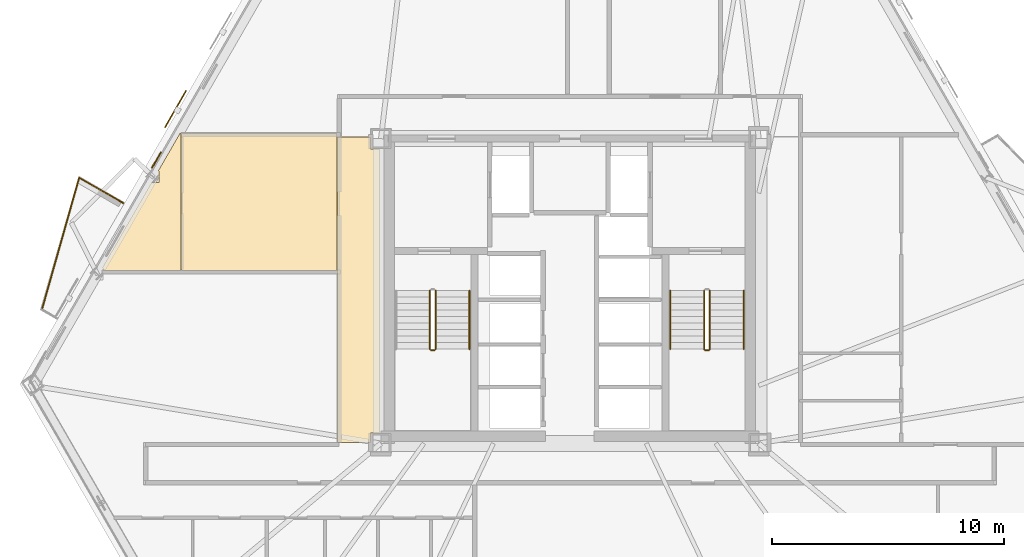
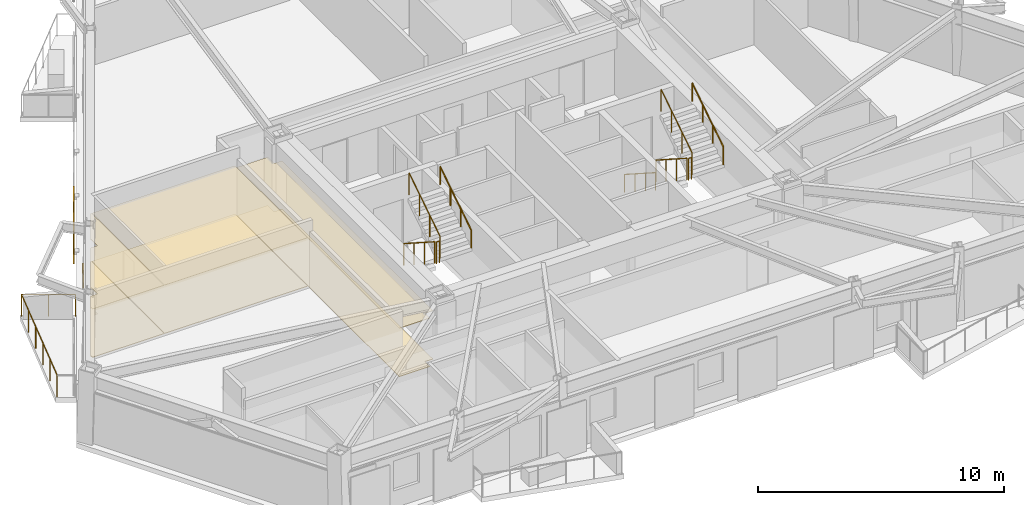
# One storey, part 8 of 10: 11 railings, 7 coverings, 1 shading device.
"""IFC4 building model written with IfcOpenShell, lengths in metres."""

import ifcopenshell
import ifcopenshell.guid

model = None  # the IFC model being written
_history = None  # IfcOwnerHistory: only IFC2X3 demands one
_inside = {}  # id of a spatial element -> (the spatial element, [elements in it])
_under = {}  # id of a project, library or spatial element -> (it, [spatial elements below it])
_declared = {}  # id of a project -> (the project, [libraries it declares])
_typed = {}  # id of a type object -> (the type object, [elements of that type])
_made_of = {}  # id of a material, layer set ... -> (it, [elements and type objects made of it])


def new_model(schema):
    """Start an empty IFC model of exactly this schema.

    Asked for "IFC4X3", IfcOpenShell would pick the latest addendum, in which some entities
    have other attributes; the version numbers below select the first issue.
    IFC2X3 requires an IfcOwnerHistory on every rooted entity: one is made here for all.
    """
    global model, _history
    if schema == "IFC4X3":
        model = ifcopenshell.file(schema_version=(4, 3, 0, 0))
    else:
        model = ifcopenshell.file(schema=schema)
    _inside.clear()
    _under.clear()
    _declared.clear()
    _typed.clear()
    _made_of.clear()
    _history = None
    if model.schema == "IFC2X3":
        org = make("IfcOrganization", Name="unknown")
        user = make(
            "IfcPersonAndOrganization",
            ThePerson=make("IfcPerson", FamilyName="unknown"),
            TheOrganization=org,
        )
        app = make(
            "IfcApplication",
            ApplicationDeveloper=org,
            Version="unknown",
            ApplicationFullName="unknown",
            ApplicationIdentifier="unknown",
        )
        _history = make(
            "IfcOwnerHistory",
            OwningUser=user,
            OwningApplication=app,
            ChangeAction="ADDED",
            CreationDate=0,
        )
    return model


def make(cls, **values):
    """One entity of the class cls with the attributes given. An attribute that is None is left unset."""
    return model.create_entity(
        cls, **{name: value for name, value in values.items() if value is not None}
    )


def rooted(cls, **values):
    """An entity with a GlobalId (a new one), such as an element, a storey or a relation."""
    return make(cls, GlobalId=ifcopenshell.guid.new(), OwnerHistory=_history, **values)


def si_unit(unit_type, name, prefix=None):
    """IfcSIUnit, for example si_unit("LENGTHUNIT", "METRE", prefix="MILLI")."""
    return make("IfcSIUnit", UnitType=unit_type, Prefix=prefix, Name=name)


def assignment(units):
    """IfcUnitAssignment: the units of a project."""
    return None if units is None else make("IfcUnitAssignment", Units=units)


def point(xyz):
    """IfcCartesianPoint."""
    return None if xyz is None else make("IfcCartesianPoint", Coordinates=xyz)


def direction(xyz):
    """IfcDirection."""
    return None if xyz is None else make("IfcDirection", DirectionRatios=xyz)


def frame(location, z_axis=None, x_axis=None):
    """IfcAxis2Placement3D, a coordinate frame: its origin and axes. An axis left out is left unset."""
    return make(
        "IfcAxis2Placement3D",
        Location=point(location),
        Axis=direction(z_axis),
        RefDirection=direction(x_axis),
    )


def frame_2d(location, x_axis=None):
    """IfcAxis2Placement2D, a coordinate frame in the plane: its origin and x axis."""
    return make(
        "IfcAxis2Placement2D", Location=point(location), RefDirection=direction(x_axis)
    )


def origin():
    """The frame at (0, 0, 0) with its axes left unset."""
    return frame((0.0, 0.0, 0.0))


def origin_2d():
    """The frame at (0, 0) in the plane with its x axis left unset."""
    return frame_2d((0.0, 0.0))


def place(relative_to, where):
    """IfcLocalPlacement: puts the frame where relative to a parent placement (None: the world)."""
    return make(
        "IfcLocalPlacement", PlacementRelTo=relative_to, RelativePlacement=where
    )


def context(
    kind, dimensions, precision=None, world=None, true_north=None, identifier=None
):
    """IfcGeometricRepresentationContext, for example the 3D "Model" context."""
    return make(
        "IfcGeometricRepresentationContext",
        ContextIdentifier=identifier,
        ContextType=kind,
        CoordinateSpaceDimension=dimensions,
        Precision=precision,
        WorldCoordinateSystem=world,
        TrueNorth=true_north,
    )


def subcontext(parent, identifier, kind, view, scale=None):
    """IfcGeometricRepresentationSubContext, for example "Body" below "Model"."""
    return make(
        "IfcGeometricRepresentationSubContext",
        ContextIdentifier=identifier,
        ContextType=kind,
        ParentContext=parent,
        TargetScale=scale,
        TargetView=view,
    )


def project(units=None, contexts=None):
    """IfcProject with its units and contexts."""
    return rooted(
        "IfcProject",
        Name="project",
        RepresentationContexts=contexts,
        UnitsInContext=assignment(units),
    )


def spatial(cls, under=None, at=None, **own):
    """A site, building, storey or space (cls), placed at a placement, below another one or the project."""
    s = rooted(cls, ObjectPlacement=at, **own)
    if under is not None:
        _under.setdefault(under.id(), (under, []))[1].append(s)
    return s


def polyline(points):
    """IfcPolyline through the points."""
    return make("IfcPolyline", Points=[point(p) for p in points])


def profile(cls, at=None, kind="AREA", **sizes):
    """A parametric profile (cls). Its sizes go by their IFC names, for example OverallWidth=200.0."""
    return make(cls, ProfileType=kind, Position=at, **sizes)


def rectangle(**sizes):
    """IfcRectangleProfileDef."""
    return profile("IfcRectangleProfileDef", **sizes)


def circle(**sizes):
    """IfcCircleProfileDef."""
    return profile("IfcCircleProfileDef", **sizes)


def outline(outer, holes=None, kind="AREA"):
    """IfcArbitraryClosedProfileDef: a profile drawn as a closed curve; with holes, ...WithVoids."""
    if holes is None:
        return make("IfcArbitraryClosedProfileDef", ProfileType=kind, OuterCurve=outer)
    return make(
        "IfcArbitraryProfileDefWithVoids",
        ProfileType=kind,
        OuterCurve=outer,
        InnerCurves=holes,
    )


def extrude(swept, where, along, depth):
    """IfcExtrudedAreaSolid: the profile swept, set in the frame where, extruded along a direction by depth."""
    return make(
        "IfcExtrudedAreaSolid",
        SweptArea=swept,
        Position=where,
        ExtrudedDirection=direction(along),
        Depth=depth,
    )


def shape(context_of_items, identifier, shape_type, items):
    """IfcShapeRepresentation: the items that make up one representation, for example the "Body"."""
    return make(
        "IfcShapeRepresentation",
        ContextOfItems=context_of_items,
        RepresentationIdentifier=identifier,
        RepresentationType=shape_type,
        Items=items,
    )


def material(Name=None, Category=None):
    """IfcMaterial."""
    return make("IfcMaterial", Name=Name, Category=Category)


def layer(
    of_material, thickness, ventilated=None, Name=None, Category=None, Priority=None
):
    """IfcMaterialLayer: one layer of a wall or slab, of a material (None: an air gap)."""
    return make(
        "IfcMaterialLayer",
        Material=of_material,
        LayerThickness=thickness,
        IsVentilated=ventilated,
        Name=Name,
        Category=Category,
        Priority=Priority,
    )


def layer_set(layers, Name=None):
    """IfcMaterialLayerSet."""
    return make("IfcMaterialLayerSet", MaterialLayers=layers, LayerSetName=Name)


def made_of(thing, what):
    """Note that an element or type object is made of a material, layer set ...; save() writes the relation."""
    if what is not None:
        _made_of.setdefault(what.id(), (what, []))[1].append(thing)
    return thing


def type_object(cls, material=None, **own):
    """A type object (cls), such as IfcWallType, which elements share."""
    return made_of(rooted(cls, **own), material)


def element(
    cls,
    number,
    at=None,
    inside=None,
    cuts=None,
    type_object=None,
    material=None,
    context=None,
    identifier="Body",
    shape_type=None,
    held_by="IfcProductDefinitionShape",
    body=None,
    shapes=None,
    **own,
):
    """One element of the class cls, such as IfcWall. Its Tag is "e" and its number.

    at: its placement. inside: the storey or other place that contains it. cuts: it is an
    opening in that element (IfcRelVoidsElement). A single representation is given by context,
    identifier, shape_type and body (its items); several are given by shapes. held_by: the class
    of the entity that holds the representations. save() writes the other relations.
    """
    e = rooted(cls, Tag="e%d" % number, ObjectPlacement=at, **own)
    if body is not None:
        shapes = [shape(context, identifier, shape_type, body)]
    if shapes is not None:
        e.Representation = make(held_by, Representations=shapes)
    if inside is not None:
        _inside.setdefault(inside.id(), (inside, []))[1].append(e)
    if cuts is not None:
        rooted(
            "IfcRelVoidsElement", RelatingBuildingElement=cuts, RelatedOpeningElement=e
        )
    if type_object is not None:
        _typed.setdefault(type_object.id(), (type_object, []))[1].append(e)
    return made_of(e, material)


def aggregate(whole, parts):
    """IfcRelAggregates: a whole, such as a stair, and the parts it consists of."""
    return rooted("IfcRelAggregates", RelatingObject=whole, RelatedObjects=parts)


def save(model, path):
    """Write the relations noted so far, then the file.

    IfcRelAggregates (storeys below a building ...), IfcRelContainedInSpatialStructure (elements
    in a storey), IfcRelDefinesByType, IfcRelAssociatesMaterial and IfcRelDeclares: one each for
    every whole, place, type object, material and project.
    """
    for whole, parts in _under.values():
        aggregate(whole, parts)
    for where, things in _inside.values():
        rooted(
            "IfcRelContainedInSpatialStructure",
            RelatedElements=things,
            RelatingStructure=where,
        )
    for kind, things in _typed.values():
        rooted("IfcRelDefinesByType", RelatedObjects=things, RelatingType=kind)
    for what, things in _made_of.values():
        rooted("IfcRelAssociatesMaterial", RelatedObjects=things, RelatingMaterial=what)
    for by, libraries in _declared.values():
        rooted("IfcRelDeclares", RelatingContext=by, RelatedDefinitions=libraries)
    model.write(path)


model = new_model("IFC4")

# Units and contexts
model_context = context("Model", 3, precision=1e-05, world=origin(), true_north=direction((0.0, 1.0)))
body_context = subcontext(model_context, "Body", "Model", "MODEL_VIEW")
ifc_project = project(units=[si_unit("LENGTHUNIT", "METRE"), si_unit("AREAUNIT", "SQUARE_METRE"), si_unit("VOLUMEUNIT", "CUBIC_METRE"), si_unit("PLANEANGLEUNIT", "RADIAN"), si_unit("MASSUNIT", "GRAM", prefix="KILO")], contexts=[model_context])

# Site, building, storey
site_placement = place(None, origin())
site = spatial("IfcSite", under=ifc_project, at=site_placement, CompositionType="ELEMENT")
building_placement = place(site_placement, origin())
building = spatial("IfcBuilding", under=site, at=building_placement, Name="Oramaril Tower", CompositionType="ELEMENT")
storey_placement = place(building_placement, frame((0.0, 0.0, 100.5)))
storey = spatial("IfcBuildingStorey", under=building, at=storey_placement, Name="L26", CompositionType="ELEMENT", Elevation=100.5)

# Coverings
ifc_material_1 = material(Name="Mineral Fibre Acoustic Ceiling")
ifc_layer_1 = layer(ifc_material_1, 0.02001953125)
ifc_layer_set_1 = layer_set([ifc_layer_1], Name="CVT-CEIL")
covering_type_1 = type_object("IfcCoveringType", Name="CVT-CEIL", PredefinedType="CEILING", material=ifc_layer_set_1)
covering_1_placement = place(storey_placement, frame((0.0, 0.0, 2.39990234375)))
element("IfcCovering", 1, at=covering_1_placement, inside=storey, type_object=covering_type_1, Name="L26 Acoustic Suspended Ceiling 3", PredefinedType="CEILING", context=body_context, shape_type="SweptSolid", body=[
    extrude(outline(polyline([(28.905029296875, 23.705078125), (29.280029296875, 23.705078125), (29.280029296875, 11.445068359375), (28.905029296875, 11.445068359375), (28.905029296875, 11.050048828125), (27.469970703125, 11.050048828125), (27.469970703125, 24.219970703125), (28.905029296875, 24.219970703125), (28.905029296875, 23.705078125)])), origin(), (0.0, 0.0, 1.0), 0.02001953125),
])
covering_2_placement = place(storey_placement, frame((0.0, 0.0, 2.39990234375)))
element("IfcCovering", 2, at=covering_2_placement, inside=storey, type_object=covering_type_1, Name="L26 Acoustic Suspended Ceiling 15", PredefinedType="CEILING", context=body_context, shape_type="SweptSolid", body=[
    extrude(outline(polyline([(27.449951171875, 24.362060546875), (27.449951171875, 24.239990234375), (27.4501953125, 24.238037109375), (27.450439453125, 24.236083984375), (27.450927734375, 24.234130859375), (27.451416015625, 24.232421875), (27.452392578125, 24.230712890625), (27.45263671875, 24.22998046875), (27.452392578125, 24.2294921875), (27.451416015625, 24.227783203125), (27.450927734375, 24.225830078125), (27.450439453125, 24.223876953125), (27.4501953125, 24.221923828125), (27.449951171875, 24.219970703125), (27.449951171875, 18.4619140625), (20.739990234375, 18.4619140625), (20.739990234375, 24.362060546875), (27.449951171875, 24.362060546875)])), origin(), (0.0, 0.0, 1.0), 0.02001953125),
])
covering_3_placement = place(storey_placement, frame((0.0, 0.0, 2.39990234375)))
element("IfcCovering", 3, at=covering_3_placement, inside=storey, type_object=covering_type_1, Name="L26 Acoustic Suspended Ceiling 16", PredefinedType="CEILING", context=body_context, shape_type="SweptSolid", body=[
    extrude(outline(polyline([(19.777587890625, 22.248291015625), (19.777587890625, 22.75146484375), (19.74072265625, 22.75146484375), (20.670654296875, 24.362060546875), (20.719970703125, 24.362060546875), (20.719970703125, 18.4619140625), (17.35595703125, 18.4619140625), (17.35595703125, 18.56640625), (17.32470703125, 18.56640625), (19.4501953125, 22.248291015625), (19.777587890625, 22.248291015625)])), origin(), (0.0, 0.0, 1.0), 0.02001953125),
])
ifc_material_2 = material(Name="Warm Cream Limestone", Category="masonry")
ifc_layer_2 = layer(ifc_material_2, 0.050048828125)
ifc_layer_set_2 = layer_set([ifc_layer_2], Name="CVT-CLD")
covering_type_2 = type_object("IfcCoveringType", Name="CVT-CLD", PredefinedType="CLADDING", material=ifc_layer_set_2)
covering_4_placement = place(storey_placement, frame((19.665283203125, 23.22265625, 0.0400390625), z_axis=(0.0, 0.0, 1.0), x_axis=(-0.5, -0.866025403784, 0.0)))
element("IfcCovering", 4, at=covering_4_placement, inside=storey, type_object=covering_type_2, Name="L26 Warm Cream Limestone Spandrel Cladding", PredefinedType="CLADDING", context=body_context, shape_type="SweptSolid", body=[
    extrude(rectangle(XDim=0.800048828125, YDim=0.050048828125, at=origin_2d()), origin(), (0.0, 0.0, 1.0), 0.679931640625),
])
ifc_material_3 = material(Name="Honed Quartzite Stone Flooring", Category="masonry")
ifc_layer_3 = layer(ifc_material_3, 0.02490234375)
ifc_layer_set_3 = layer_set([ifc_layer_3], Name="CVT-FLR")
covering_type_3 = type_object("IfcCoveringType", Name="CVT-FLR", PredefinedType="FLOORING", material=ifc_layer_set_3)
covering_5_placement = place(storey_placement, origin())
element("IfcCovering", 5, at=covering_5_placement, inside=storey, type_object=covering_type_3, Name="L26 Honed Stone Floor Finish 3", PredefinedType="FLOORING", context=body_context, shape_type="SweptSolid", body=[
    extrude(outline(polyline([(28.905029296875, 23.705078125), (29.280029296875, 23.705078125), (29.280029296875, 11.445068359375), (28.905029296875, 11.445068359375), (28.905029296875, 11.050048828125), (27.469970703125, 11.050048828125), (27.469970703125, 24.219970703125), (28.905029296875, 24.219970703125), (28.905029296875, 23.705078125)])), origin(), (0.0, 0.0, 1.0), 0.02490234375),
])
covering_6_placement = place(storey_placement, origin())
element("IfcCovering", 6, at=covering_6_placement, inside=storey, type_object=covering_type_3, Name="L26 Honed Stone Floor Finish 15", PredefinedType="FLOORING", context=body_context, shape_type="SweptSolid", body=[
    extrude(outline(polyline([(27.449951171875, 24.362060546875), (27.449951171875, 24.239990234375), (27.4501953125, 24.238037109375), (27.450439453125, 24.236083984375), (27.450927734375, 24.234130859375), (27.451416015625, 24.232421875), (27.452392578125, 24.230712890625), (27.45263671875, 24.22998046875), (27.452392578125, 24.2294921875), (27.451416015625, 24.227783203125), (27.450927734375, 24.225830078125), (27.450439453125, 24.223876953125), (27.4501953125, 24.221923828125), (27.449951171875, 24.219970703125), (27.449951171875, 18.4619140625), (20.739990234375, 18.4619140625), (20.739990234375, 24.362060546875), (27.449951171875, 24.362060546875)])), origin(), (0.0, 0.0, 1.0), 0.02490234375),
])
covering_7_placement = place(storey_placement, origin())
element("IfcCovering", 7, at=covering_7_placement, inside=storey, type_object=covering_type_3, Name="L26 Honed Stone Floor Finish 16", PredefinedType="FLOORING", context=body_context, shape_type="SweptSolid", body=[
    extrude(outline(polyline([(19.777587890625, 22.248291015625), (19.777587890625, 22.75146484375), (19.74072265625, 22.75146484375), (20.670654296875, 24.362060546875), (20.719970703125, 24.362060546875), (20.719970703125, 18.4619140625), (17.35595703125, 18.4619140625), (17.35595703125, 18.56640625), (17.32470703125, 18.56640625), (19.4501953125, 22.248291015625), (19.777587890625, 22.248291015625)])), origin(), (0.0, 0.0, 1.0), 0.02490234375),
])

# Railings
ifc_material_4 = material(Name="Stainless Steel 316L", Category="steel")
railing_type_1 = type_object("IfcRailingType", Name="RLT-GRD", PredefinedType="GUARDRAIL", material=ifc_material_4)
railing_1_placement = place(storey_placement, frame((14.724609375, 16.779052734375, 0.0)))
element("IfcRailing", 8, at=railing_1_placement, inside=storey, type_object=railing_type_1, Name="L26 Balcony Guardrail L26-BAL-NW2.2", PredefinedType="GUARDRAIL", context=body_context, shape_type="SweptSolid", body=[
    extrude(circle(Radius=0.02392578125, at=origin_2d()), frame((0.0, 0.0, 1.076171875), z_axis=(0.27224886544, 0.962226873074, 0.0), x_axis=(-0.962226873074, 0.27224886544, 0.0)), (0.0, 0.0, 1.0), 5.910400390625),
    extrude(circle(Radius=0.02099609375, at=origin_2d()), origin(), (0.0, 0.0, 1.0), 1.052001953125),
    extrude(circle(Radius=0.02099609375, at=origin_2d()), frame((0.32177734375, 1.137451171875, 0.0)), (0.0, 0.0, 1.0), 1.052001953125),
    extrude(circle(Radius=0.02099609375, at=origin_2d()), frame((0.6435546875, 2.27490234375, 0.0)), (0.0, 0.0, 1.0), 1.052001953125),
    extrude(circle(Radius=0.02099609375, at=origin_2d()), frame((0.965576171875, 3.412353515625, 0.0)), (0.0, 0.0, 1.0), 1.052001953125),
    extrude(circle(Radius=0.02099609375, at=origin_2d()), frame((1.287353515625, 4.5498046875, 0.0)), (0.0, 0.0, 1.0), 1.052001953125),
    extrude(circle(Radius=0.02099609375, at=origin_2d()), frame((1.609130859375, 5.687255859375, 0.0)), (0.0, 0.0, 1.0), 1.052001953125),
])
railing_2_placement = place(storey_placement, frame((16.333740234375, 22.46630859375, 0.0)))
element("IfcRailing", 9, at=railing_2_placement, inside=storey, type_object=railing_type_1, Name="L26 Balcony Guardrail L26-BAL-NW2.3", PredefinedType="GUARDRAIL", context=body_context, shape_type="SweptSolid", body=[
    extrude(circle(Radius=0.02392578125, at=origin_2d()), frame((0.0, 0.0, 1.076171875), z_axis=(0.865972267571, -0.50009202333, 0.0), x_axis=(0.50009202333, 0.865972267571, 0.0)), (0.0, 0.0, 1.0), 2.19189453125),
    extrude(circle(Radius=0.02099609375, at=origin_2d()), origin(), (0.0, 0.0, 1.0), 1.052001953125),
    extrude(circle(Radius=0.02099609375, at=origin_2d()), frame((0.94921875, -0.548095703125, 0.0)), (0.0, 0.0, 1.0), 1.052001953125),
    extrude(circle(Radius=0.02099609375, at=origin_2d()), frame((1.898193359375, -1.09619140625, 0.0)), (0.0, 0.0, 1.0), 1.052001953125),
])
railing_3_placement = place(storey_placement, frame((31.4599609375, 17.590087890625, 0.179931640625)))
element("IfcRailing", 10, at=railing_3_placement, inside=storey, type_object=railing_type_1, Name="L26 ST-1 stair guard 1", PredefinedType="GUARDRAIL", context=body_context, shape_type="SweptSolid", body=[
    extrude(circle(Radius=0.02392578125, at=origin_2d()), frame((0.0, 0.0, 1.076171875), z_axis=(0.0, -0.841162588446, 0.540782303519), x_axis=(1.0, 0.0, 0.0)), (0.0, 0.0, 1.0), 2.995849609375),
    extrude(circle(Radius=0.02099609375, at=origin_2d()), origin(), (0.0, 0.0, 1.0), 1.052001953125),
    extrude(circle(Radius=0.02099609375, at=origin_2d()), frame((0.0, -0.840087890625, 0.5400390625)), (0.0, 0.0, 1.0), 1.052001953125),
    extrude(circle(Radius=0.02099609375, at=origin_2d()), frame((0.0, -1.679931640625, 1.080078125)), (0.0, 0.0, 1.0), 1.052001953125),
    extrude(circle(Radius=0.02099609375, at=origin_2d()), frame((0.0, -2.52001953125, 1.6201171875)), (0.0, 0.0, 1.0), 1.052001953125),
])
railing_4_placement = place(storey_placement, frame((31.510009765625, 15.02001953125, 1.800048828125)))
element("IfcRailing", 11, at=railing_4_placement, inside=storey, type_object=railing_type_1, Name="L26 ST-1 stair guard 2", PredefinedType="GUARDRAIL", context=body_context, shape_type="SweptSolid", body=[
    extrude(circle(Radius=0.02392578125, at=origin_2d()), frame((0.0, 0.0, 1.076171875), z_axis=(1.0, 0.0, 0.0), x_axis=(0.0, 1.0, 0.0)), (0.0, 0.0, 1.0), 0.14990234375),
    extrude(circle(Radius=0.02099609375, at=origin_2d()), origin(), (0.0, 0.0, 1.0), 1.052001953125),
    extrude(circle(Radius=0.02099609375, at=origin_2d()), frame((0.14990234375, 0.0, 0.0)), (0.0, 0.0, 1.0), 1.052001953125),
])
railing_5_placement = place(storey_placement, frame((31.7099609375, 15.070068359375, 1.97998046875)))
element("IfcRailing", 12, at=railing_5_placement, inside=storey, type_object=railing_type_1, Name="L26 ST-1 stair guard 3", PredefinedType="GUARDRAIL", context=body_context, shape_type="SweptSolid", body=[
    extrude(circle(Radius=0.02392578125, at=origin_2d()), frame((0.0, 0.0, 1.076171875), z_axis=(0.0, 0.841162588446, 0.540782303519), x_axis=(-1.0, 0.0, 0.0)), (0.0, 0.0, 1.0), 2.995849609375),
    extrude(circle(Radius=0.02099609375, at=origin_2d()), origin(), (0.0, 0.0, 1.0), 1.052001953125),
    extrude(circle(Radius=0.02099609375, at=origin_2d()), frame((0.0, 0.840087890625, 0.5400390625)), (0.0, 0.0, 1.0), 1.052001953125),
    extrude(circle(Radius=0.02099609375, at=origin_2d()), frame((0.0, 1.679931640625, 1.080078125)), (0.0, 0.0, 1.0), 1.052001953125),
    extrude(circle(Radius=0.02099609375, at=origin_2d()), frame((0.0, 2.52001953125, 1.6201171875)), (0.0, 0.0, 1.0), 1.052001953125),
])
railing_6_placement = place(storey_placement, frame((43.2900390625, 17.590087890625, 0.179931640625)))
element("IfcRailing", 13, at=railing_6_placement, inside=storey, type_object=railing_type_1, Name="L26 ST-2 stair guard 1", PredefinedType="GUARDRAIL", context=body_context, shape_type="SweptSolid", body=[
    extrude(circle(Radius=0.02392578125, at=origin_2d()), frame((0.0, 0.0, 1.076171875), z_axis=(0.0, -0.841162588446, 0.540782303519), x_axis=(1.0, 0.0, 0.0)), (0.0, 0.0, 1.0), 2.995849609375),
    extrude(circle(Radius=0.02099609375, at=origin_2d()), origin(), (0.0, 0.0, 1.0), 1.052001953125),
    extrude(circle(Radius=0.02099609375, at=origin_2d()), frame((0.0, -0.840087890625, 0.5400390625)), (0.0, 0.0, 1.0), 1.052001953125),
    extrude(circle(Radius=0.02099609375, at=origin_2d()), frame((0.0, -1.679931640625, 1.080078125)), (0.0, 0.0, 1.0), 1.052001953125),
    extrude(circle(Radius=0.02099609375, at=origin_2d()), frame((0.0, -2.52001953125, 1.6201171875)), (0.0, 0.0, 1.0), 1.052001953125),
])
railing_7_placement = place(storey_placement, frame((43.340087890625, 15.02001953125, 1.800048828125)))
element("IfcRailing", 14, at=railing_7_placement, inside=storey, type_object=railing_type_1, Name="L26 ST-2 stair guard 2", PredefinedType="GUARDRAIL", context=body_context, shape_type="SweptSolid", body=[
    extrude(circle(Radius=0.02392578125, at=origin_2d()), frame((0.0, 0.0, 1.076171875), z_axis=(1.0, 0.0, 0.0), x_axis=(0.0, 1.0, 0.0)), (0.0, 0.0, 1.0), 0.14990234375),
    extrude(circle(Radius=0.02099609375, at=origin_2d()), origin(), (0.0, 0.0, 1.0), 1.052001953125),
    extrude(circle(Radius=0.02099609375, at=origin_2d()), frame((0.14990234375, 0.0, 0.0)), (0.0, 0.0, 1.0), 1.052001953125),
])
railing_8_placement = place(storey_placement, frame((43.5400390625, 15.070068359375, 1.97998046875)))
element("IfcRailing", 15, at=railing_8_placement, inside=storey, type_object=railing_type_1, Name="L26 ST-2 stair guard 3", PredefinedType="GUARDRAIL", context=body_context, shape_type="SweptSolid", body=[
    extrude(circle(Radius=0.02392578125, at=origin_2d()), frame((0.0, 0.0, 1.076171875), z_axis=(0.0, 0.841162588446, 0.540782303519), x_axis=(-1.0, 0.0, 0.0)), (0.0, 0.0, 1.0), 2.995849609375),
    extrude(circle(Radius=0.02099609375, at=origin_2d()), origin(), (0.0, 0.0, 1.0), 1.052001953125),
    extrude(circle(Radius=0.02099609375, at=origin_2d()), frame((0.0, 0.840087890625, 0.5400390625)), (0.0, 0.0, 1.0), 1.052001953125),
    extrude(circle(Radius=0.02099609375, at=origin_2d()), frame((0.0, 1.679931640625, 1.080078125)), (0.0, 0.0, 1.0), 1.052001953125),
    extrude(circle(Radius=0.02099609375, at=origin_2d()), frame((0.0, 2.52001953125, 1.6201171875)), (0.0, 0.0, 1.0), 1.052001953125),
])
ifc_material_5 = material(Name="Stainless Steel 316L", Category="steel")
railing_type_2 = type_object("IfcRailingType", Name="RLT-HND", PredefinedType="HANDRAIL", material=ifc_material_5)
railing_9_placement = place(storey_placement, frame((33.169921875, 15.070068359375, 1.97998046875)))
element("IfcRailing", 16, at=railing_9_placement, inside=storey, type_object=railing_type_2, Name="L26 ST-1 stair handrail 2", PredefinedType="HANDRAIL", context=body_context, shape_type="SweptSolid", body=[
    extrude(circle(Radius=0.02392578125, at=origin_2d()), frame((0.0, 0.0, 0.8759765625), z_axis=(0.0, 0.841162588446, 0.540782303519), x_axis=(-1.0, 0.0, 0.0)), (0.0, 0.0, 1.0), 2.995849609375),
    extrude(circle(Radius=0.02099609375, at=origin_2d()), origin(), (0.0, 0.0, 1.0), 0.851806640625),
    extrude(circle(Radius=0.02099609375, at=origin_2d()), frame((0.0, 0.840087890625, 0.5400390625)), (0.0, 0.0, 1.0), 0.851806640625),
    extrude(circle(Radius=0.02099609375, at=origin_2d()), frame((0.0, 1.679931640625, 1.080078125)), (0.0, 0.0, 1.0), 0.851806640625),
    extrude(circle(Radius=0.02099609375, at=origin_2d()), frame((0.0, 2.52001953125, 1.6201171875)), (0.0, 0.0, 1.0), 0.851806640625),
])
railing_10_placement = place(storey_placement, frame((41.830078125, 17.590087890625, 0.179931640625)))
element("IfcRailing", 17, at=railing_10_placement, inside=storey, type_object=railing_type_2, Name="L26 ST-2 stair handrail 1", PredefinedType="HANDRAIL", context=body_context, shape_type="SweptSolid", body=[
    extrude(circle(Radius=0.02392578125, at=origin_2d()), frame((0.0, 0.0, 0.8759765625), z_axis=(0.0, -0.841162588446, 0.540782303519), x_axis=(1.0, 0.0, 0.0)), (0.0, 0.0, 1.0), 2.995849609375),
    extrude(circle(Radius=0.02099609375, at=origin_2d()), origin(), (0.0, 0.0, 1.0), 0.851806640625),
    extrude(circle(Radius=0.02099609375, at=origin_2d()), frame((0.0, -0.840087890625, 0.5400390625)), (0.0, 0.0, 1.0), 0.851806640625),
    extrude(circle(Radius=0.02099609375, at=origin_2d()), frame((0.0, -1.679931640625, 1.080078125)), (0.0, 0.0, 1.0), 0.851806640625),
    extrude(circle(Radius=0.02099609375, at=origin_2d()), frame((0.0, -2.52001953125, 1.6201171875)), (0.0, 0.0, 1.0), 0.851806640625),
])
railing_11_placement = place(storey_placement, frame((45.0, 15.070068359375, 1.97998046875)))
element("IfcRailing", 18, at=railing_11_placement, inside=storey, type_object=railing_type_2, Name="L26 ST-2 stair handrail 2", PredefinedType="HANDRAIL", context=body_context, shape_type="SweptSolid", body=[
    extrude(circle(Radius=0.02392578125, at=origin_2d()), frame((0.0, 0.0, 0.8759765625), z_axis=(0.0, 0.841162588446, 0.540782303519), x_axis=(-1.0, 0.0, 0.0)), (0.0, 0.0, 1.0), 2.995849609375),
    extrude(circle(Radius=0.02099609375, at=origin_2d()), origin(), (0.0, 0.0, 1.0), 0.851806640625),
    extrude(circle(Radius=0.02099609375, at=origin_2d()), frame((0.0, 0.840087890625, 0.5400390625)), (0.0, 0.0, 1.0), 0.851806640625),
    extrude(circle(Radius=0.02099609375, at=origin_2d()), frame((0.0, 1.679931640625, 1.080078125)), (0.0, 0.0, 1.0), 0.851806640625),
    extrude(circle(Radius=0.02099609375, at=origin_2d()), frame((0.0, 2.52001953125, 1.6201171875)), (0.0, 0.0, 1.0), 0.851806640625),
])

# Shading device
shading_device_placement = place(storey_placement, frame((20.48974609375, 25.424560546875, -0.02001953125), z_axis=(0.0, 0.0, 1.0), x_axis=(-0.5, -0.866025403784, 0.0)))
element("IfcShadingDevice", 19, at=shading_device_placement, inside=storey, Name="L26 Perforated Ceramic Solar Screen", ObjectType="SCREEN", PredefinedType="USERDEFINED", context=body_context, shape_type="SweptSolid", body=[
    extrude(rectangle(XDim=1.8330078125, YDim=0.050048828125, at=origin_2d()), origin(), (0.0, 0.0, 1.0), 2.577880859375),
])

save(model, "model.ifc")
